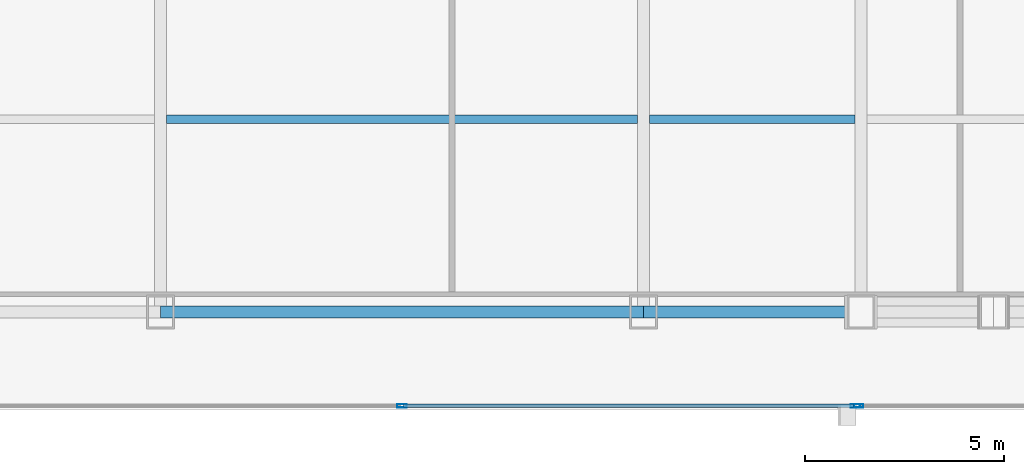
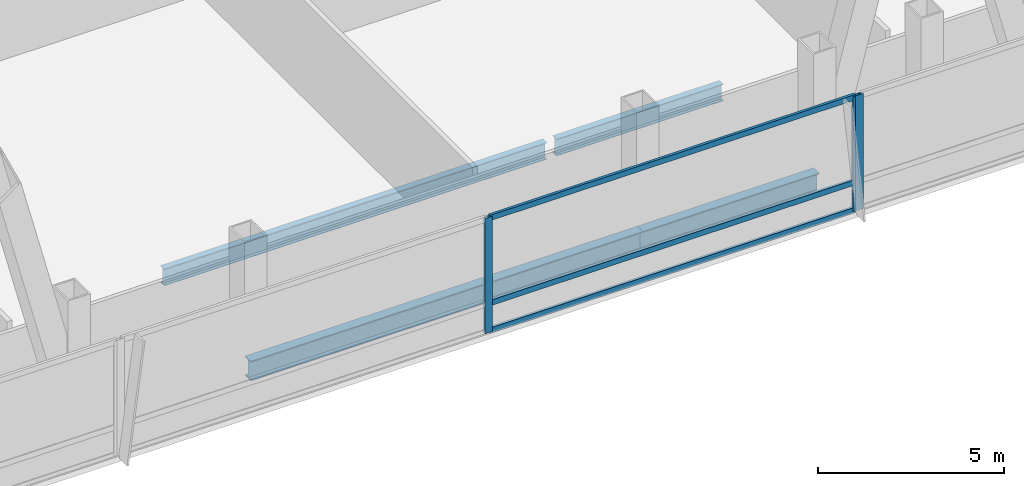
# One storey, part 12 of 32: 6 members, 4 beams, 2 elements without a shape of their own.
"""IFC4 building model written with IfcOpenShell, lengths in metres."""

from ifc_helpers import new_model, si_unit, direction, frame, origin, origin_2d, place, context, subcontext, project, spatial, hollow_rectangle, i_section, extrude, material, material_profile, profile_set, type_object, element, aggregate, save


model = new_model("IFC4")

# Units and contexts
model_context = context("Model", 3, precision=1e-05, world=origin(), true_north=direction((0.0, 1.0)))
body_context = subcontext(model_context, "Body", "Model", "MODEL_VIEW")
ifc_project = project(units=[si_unit("LENGTHUNIT", "METRE"), si_unit("AREAUNIT", "SQUARE_METRE"), si_unit("VOLUMEUNIT", "CUBIC_METRE"), si_unit("PLANEANGLEUNIT", "RADIAN"), si_unit("MASSUNIT", "GRAM", prefix="KILO")], contexts=[model_context])

# Site, building, storey
site_placement = place(None, origin())
site = spatial("IfcSite", under=ifc_project, at=site_placement, CompositionType="ELEMENT")
building_placement = place(site_placement, origin())
building = spatial("IfcBuilding", under=site, at=building_placement, Name="Khoronbel Lancet Exchange", CompositionType="ELEMENT")
storey_placement = place(building_placement, frame((0.0, 0.0, 81.800048828125)))
storey = spatial("IfcBuildingStorey", under=building, at=storey_placement, Name="L19", CompositionType="ELEMENT", Elevation=81.800048828125)

# Beams
ifc_material_1 = material(Name="Steel S355", Category="steel")
ifc_material_profile_1 = material_profile(ifc_material_1, i_section(OverallWidth=0.2099609375, OverallDepth=0.550048828125, WebThickness=0.010986328125, FlangeThickness=0.01708984375, at=origin_2d()), Name="IPE 550")
ifc_profile_set_1 = profile_set([ifc_material_profile_1], Name="Steel S355")
beam_type_1 = type_object("IfcBeamType", Name="BM-BJ2", PredefinedType="JOIST", material=ifc_profile_set_1)
beam_1_placement = place(storey_placement, frame((30.52490234375, 15.0, -0.455078125), z_axis=(1.0, 0.0, 0.0), x_axis=(0.0, 1.0, 0.0)))
element("IfcBeam", 1, at=beam_1_placement, inside=storey, type_object=beam_type_1, Name="Level L19 secondary composite joist J03", PredefinedType="JOIST", context=body_context, shape_type="SweptSolid", body=[
    extrude(i_section(OverallWidth=0.2099609375, OverallDepth=0.550048828125, WebThickness=0.010986328125, FlangeThickness=0.01708984375, at=origin_2d()), origin(), (0.0, 0.0, 1.0), 11.85009765625),
])
beam_2_placement = place(storey_placement, frame((42.675048828125, 15.0, -0.455078125), z_axis=(1.0, 0.0, 0.0), x_axis=(0.0, 1.0, 0.0)))
element("IfcBeam", 2, at=beam_2_placement, inside=storey, type_object=beam_type_1, Name="Level L19 secondary composite joist J04", PredefinedType="JOIST", context=body_context, shape_type="SweptSolid", body=[
    extrude(i_section(OverallWidth=0.2099609375, OverallDepth=0.550048828125, WebThickness=0.010986328125, FlangeThickness=0.01708984375, at=origin_2d()), origin(), (0.0, 0.0, 1.0), 5.175048828125),
])
ifc_material_profile_2 = material_profile(ifc_material_1, i_section(OverallWidth=0.300048828125, OverallDepth=0.64990234375, WebThickness=0.01611328125, FlangeThickness=0.031005859375, at=origin_2d()), Name="HEB 650")
ifc_profile_set_2 = profile_set([ifc_material_profile_2], Name="Steel S355")
beam_type_2 = type_object("IfcBeamType", Name="BM-BSP1", PredefinedType="SPANDREL", material=ifc_profile_set_2)
beam_3_placement = place(storey_placement, frame((30.375, 10.14990234375, -0.505126953125), z_axis=(1.0, 0.0, 0.0), x_axis=(0.0, 1.0, 0.0)))
element("IfcBeam", 3, at=beam_3_placement, inside=storey, type_object=beam_type_2, Name="Level L19 perimeter spandrel beam SP04", PredefinedType="SPANDREL", context=body_context, shape_type="SweptSolid", body=[
    extrude(i_section(OverallWidth=0.300048828125, OverallDepth=0.64990234375, WebThickness=0.01611328125, FlangeThickness=0.031005859375, at=origin_2d()), origin(), (0.0, 0.0, 1.0), 12.14990234375),
])
beam_4_placement = place(storey_placement, frame((42.52490234375, 10.14990234375, -0.505126953125), z_axis=(1.0, 0.0, 0.0), x_axis=(0.0, 1.0, 0.0)))
element("IfcBeam", 4, at=beam_4_placement, inside=storey, type_object=beam_type_2, Name="Level L19 perimeter spandrel beam SP05", PredefinedType="SPANDREL", context=body_context, shape_type="SweptSolid", body=[
    extrude(i_section(OverallWidth=0.300048828125, OverallDepth=0.64990234375, WebThickness=0.01611328125, FlangeThickness=0.031005859375, at=origin_2d()), origin(), (0.0, 0.0, 1.0), 5.47509765625),
])

# Curtain wall, members
ifc_material_2 = material(Name="Low-E Solar Control Insulating Glass", Category="glass")
curtain_wall_type = type_object("IfcCurtainWallType", Name="CW-2", PredefinedType="NOTDEFINED", material=ifc_material_2)
curtain_wall_1_placement = place(storey_placement, origin())
curtain_wall_1 = element("IfcCurtainWall", 5, at=curtain_wall_1_placement, inside=storey, type_object=curtain_wall_type, Name="Unitised curtain wall CW-L19-SCV", PredefinedType="NOTDEFINED")
ifc_material_3 = material(Name="Bronze-Anodised Aluminium 6063-T6", Category="aluminium")
ifc_material_profile_3 = material_profile(ifc_material_3, hollow_rectangle(XDim=0.0849609375, YDim=0.239990234375, WallThickness=0.006103515625, at=origin_2d()), Name="ALU MULLION 85x240")
ifc_profile_set_3 = profile_set([ifc_material_profile_3], Name="Bronze-Anodised Aluminium 6063-T6")
member_type_1 = type_object("IfcMemberType", Name="MEM-CWM1", PredefinedType="MULLION", material=ifc_profile_set_3)
member_1_placement = place(storey_placement, frame((36.449951171875, 7.7900390625, 0.0), z_axis=(0.0, 0.0, 1.0), x_axis=(0.0, 1.0, 0.0)))
member_1 = element("IfcMember", 6, at=member_1_placement, type_object=member_type_1, Name="CW2 mullion 2", PredefinedType="MULLION", context=body_context, shape_type="SweptSolid", body=[
    extrude(hollow_rectangle(XDim=0.0849609375, YDim=0.239990234375, WallThickness=0.006103515625, at=origin_2d()), origin(), (0.0, 0.0, 1.0), 3.780029296875),
])
member_2_placement = place(storey_placement, frame((47.857421875, 7.7900390625, 0.0), z_axis=(0.0, 0.0, 1.0), x_axis=(0.0, 1.0, 0.0)))
member_2 = element("IfcMember", 7, at=member_2_placement, type_object=member_type_1, Name="CW2 mullion 3", PredefinedType="MULLION", context=body_context, shape_type="SweptSolid", body=[
    extrude(hollow_rectangle(XDim=0.0849609375, YDim=0.239990234375, WallThickness=0.006103515625, at=origin_2d()), origin(), (0.0, 0.0, 1.0), 3.780029296875),
])

# Curtain wall, member
curtain_wall_2_placement = place(storey_placement, origin())
curtain_wall_2 = element("IfcCurtainWall", 8, at=curtain_wall_2_placement, inside=storey, type_object=curtain_wall_type, Name="Unitised curtain wall CW-L19-SEB", PredefinedType="NOTDEFINED")
member_3_placement = place(storey_placement, frame((47.9423828125, 7.7900390625, 0.0), z_axis=(0.0, 0.0, 1.0), x_axis=(0.0, 1.0, 0.0)))
member_3 = element("IfcMember", 9, at=member_3_placement, type_object=member_type_1, Name="CW2 mullion 1", PredefinedType="MULLION", context=body_context, shape_type="SweptSolid", body=[
    extrude(hollow_rectangle(XDim=0.0849609375, YDim=0.239990234375, WallThickness=0.006103515625, at=origin_2d()), origin(), (0.0, 0.0, 1.0), 3.780029296875),
])
aggregate(curtain_wall_2, [member_3])

# Member
ifc_material_profile_4 = material_profile(ifc_material_3, hollow_rectangle(XDim=0.0849609375, YDim=0.179931640625, WallThickness=0.0048828125, at=origin_2d()), Name="ALU TRANSOM 85x180")
ifc_profile_set_4 = profile_set([ifc_material_profile_4], Name="Bronze-Anodised Aluminium 6063-T6")
member_type_2 = type_object("IfcMemberType", Name="MEM-CWT1", PredefinedType="USERDEFINED", material=ifc_profile_set_4)
member_4_placement = place(storey_placement, frame((36.492431640625, 7.7900390625, 0.04248046875), z_axis=(1.0, 0.0, 0.0), x_axis=(0.0, 1.0, 0.0)))
member_4 = element("IfcMember", 10, at=member_4_placement, type_object=member_type_2, Name="CW2 transom 2.1", ObjectType="TRANSOM", PredefinedType="USERDEFINED", context=body_context, shape_type="SweptSolid", body=[
    extrude(hollow_rectangle(XDim=0.0849609375, YDim=0.179931640625, WallThickness=0.0048828125, at=origin_2d()), origin(), (0.0, 0.0, 1.0), 11.322509765625),
])

member_5_placement = place(storey_placement, frame((36.492431640625, 7.7900390625, 0.949951171875), z_axis=(1.0, 0.0, 0.0), x_axis=(0.0, 1.0, 0.0)))
member_5 = element("IfcMember", 11, at=member_5_placement, type_object=member_type_2, Name="CW2 transom 2.2", ObjectType="TRANSOM", PredefinedType="USERDEFINED", context=body_context, shape_type="SweptSolid", body=[
    extrude(hollow_rectangle(XDim=0.0849609375, YDim=0.179931640625, WallThickness=0.0048828125, at=origin_2d()), origin(), (0.0, 0.0, 1.0), 11.322509765625),
])

member_6_placement = place(storey_placement, frame((36.492431640625, 7.7900390625, 3.737548828125), z_axis=(1.0, 0.0, 0.0), x_axis=(0.0, 1.0, 0.0)))
member_6 = element("IfcMember", 12, at=member_6_placement, type_object=member_type_2, Name="CW2 transom 2.3", ObjectType="TRANSOM", PredefinedType="USERDEFINED", context=body_context, shape_type="SweptSolid", body=[
    extrude(hollow_rectangle(XDim=0.0849609375, YDim=0.179931640625, WallThickness=0.0048828125, at=origin_2d()), origin(), (0.0, 0.0, 1.0), 11.322509765625),
])

aggregate(curtain_wall_1, [member_1, member_2, member_4, member_5, member_6])

save(model, "model.ifc")
